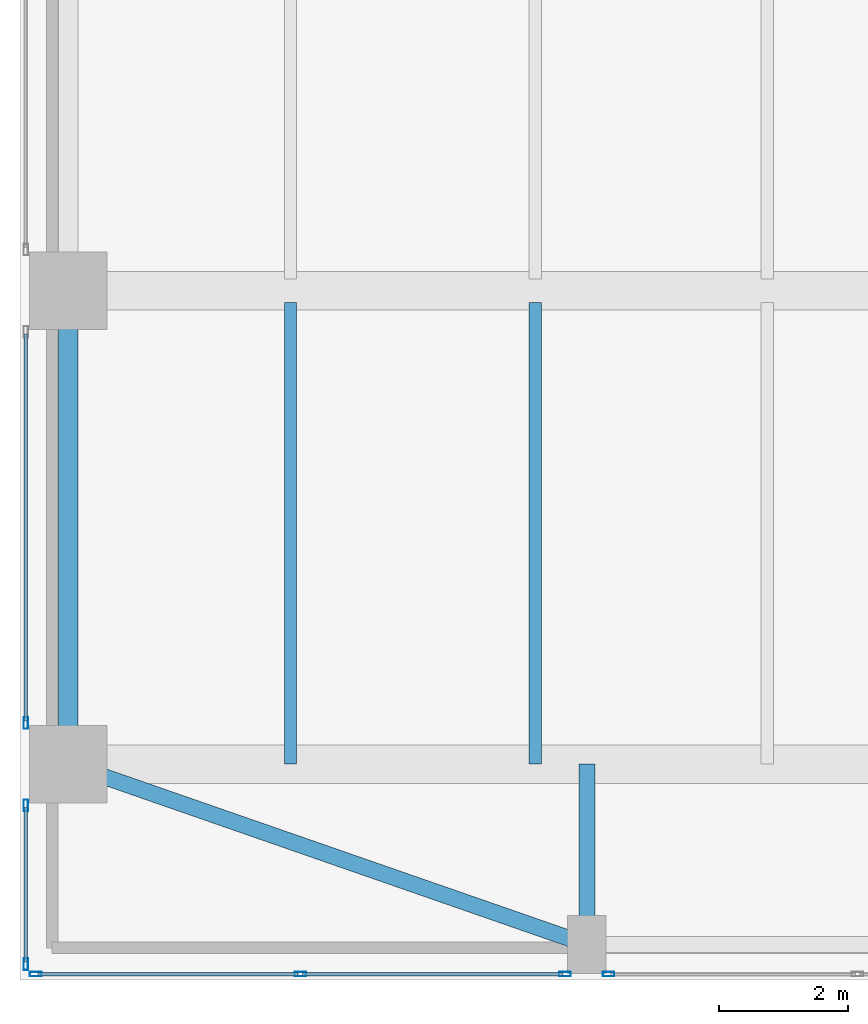
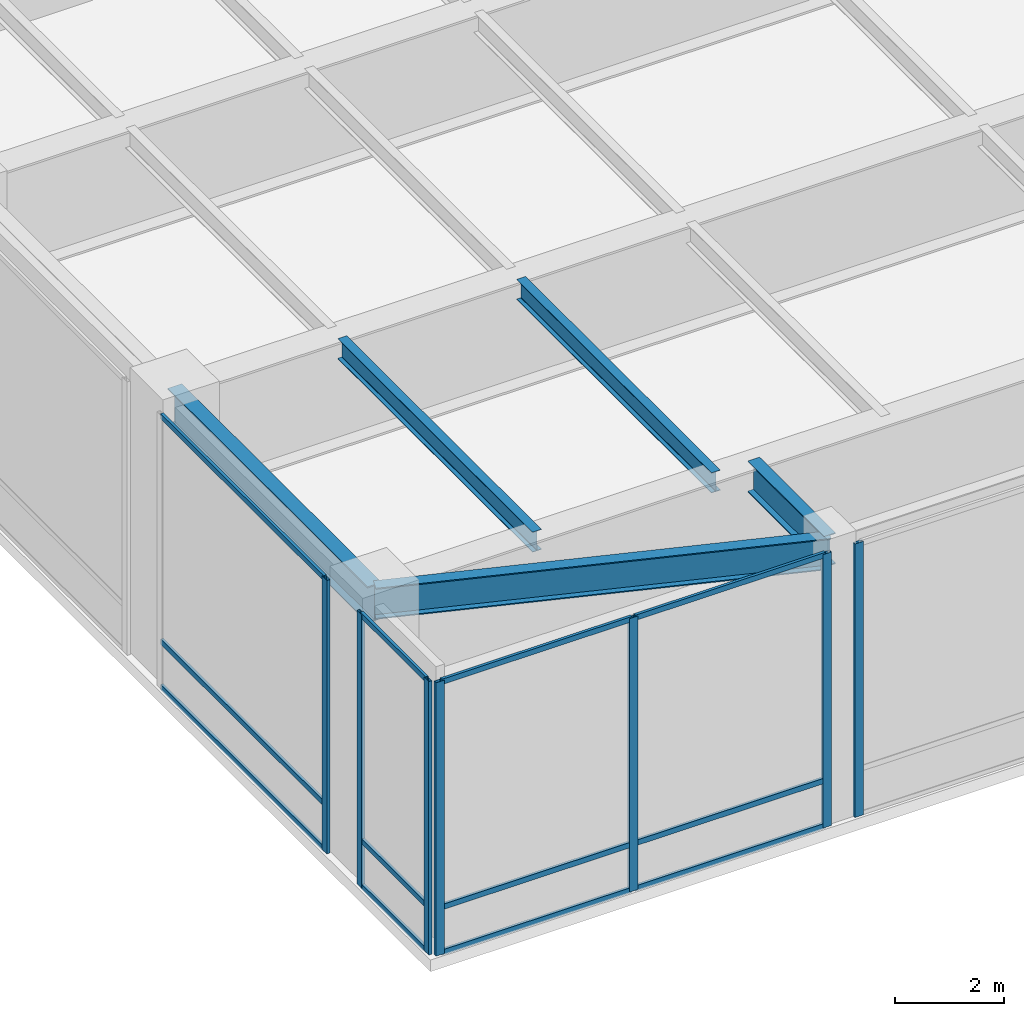
# One storey, part 2 of 50: 19 members, 5 beams, 4 elements without a shape of their own.
"""IFC4 building model written with IfcOpenShell, lengths in metres."""

from ifc_helpers import new_model, si_unit, direction, frame, origin, origin_2d, place, context, subcontext, project, spatial, hollow_rectangle, i_section, extrude, source, transform, mapped, material, layer, layer_set, material_profile, profile_set, type_object, type_shapes, element, aggregate, save


model = new_model("IFC4")

# Units and contexts
model_context = context("Model", 3, precision=1e-05, world=origin(), true_north=direction((0.0, 1.0)))
body_context = subcontext(model_context, "Body", "Model", "MODEL_VIEW")
ifc_project = project(units=[si_unit("LENGTHUNIT", "METRE"), si_unit("AREAUNIT", "SQUARE_METRE"), si_unit("VOLUMEUNIT", "CUBIC_METRE"), si_unit("PLANEANGLEUNIT", "RADIAN"), si_unit("MASSUNIT", "GRAM", prefix="KILO")], contexts=[model_context])

# Site, building, storey
site_placement = place(None, origin())
site = spatial("IfcSite", under=ifc_project, at=site_placement, CompositionType="ELEMENT")
building_placement = place(site_placement, origin())
building = spatial("IfcBuilding", under=site, at=building_placement, Name="Tolvann Quenvar Hotel", CompositionType="ELEMENT")
storey_placement = place(building_placement, frame((0.0, 0.0, 16.0)))
storey = spatial("IfcBuildingStorey", under=building, at=storey_placement, Name="L03", CompositionType="ELEMENT", Elevation=16.0)

# Beams
ifc_material_1 = material(Name="Steel Grade 350", Category="steel")
ifc_material_profile_1 = material_profile(ifc_material_1, i_section(OverallWidth=0.300048828125, OverallDepth=0.81591796875, WebThickness=0.010009765625, FlangeThickness=0.028076171875, at=origin_2d()), Name="800WB192")
ifc_profile_set_1 = profile_set([ifc_material_profile_1], Name="Steel Grade 350")
beam_type_1 = type_object("IfcBeamType", Name="BM_GIRD_800WB192", PredefinedType="BEAM", material=ifc_profile_set_1)
shared_shape_1 = source(origin(), body_context, "Body", "SweptSolid", [
    extrude(i_section(OverallWidth=0.300048828125, OverallDepth=0.81591796875, WebThickness=0.010009765625, FlangeThickness=0.028076171875, at=origin_2d()), origin(), (0.0, 0.0, 1.0), 7.349853515625),
])
type_shapes(beam_type_1, [shared_shape_1])
beam_1_placement = place(storey_placement, frame((-7.64990234375, 0.85009765625, 5.73193359375), z_axis=(0.0, 1.0, 0.0), x_axis=(-1.0, 0.0, 0.0)))
element("IfcBeam", 1, at=beam_1_placement, inside=storey, type_object=beam_type_1, Name="BM-L03-NS-A-0", PredefinedType="BEAM", context=body_context, shape_type="MappedRepresentation", body=[
    mapped(shared_shape_1, transform((0.0, 0.0, 0.0), x_axis=(1.0, 0.0, 0.0), y_axis=(0.0, 1.0, 0.0), z_axis=(0.0, 0.0, 1.0), scale=1.0)),
])
ifc_material_profile_2 = material_profile(ifc_material_1, i_section(OverallWidth=0.25, OverallDepth=0.699951171875, WebThickness=0.010009765625, FlangeThickness=0.02392578125, at=origin_2d()), Name="700WB150")
ifc_profile_set_2 = profile_set([ifc_material_profile_2], Name="Steel Grade 350")
beam_type_2 = type_object("IfcBeamType", Name="BM_GIRD_700WB150", PredefinedType="BEAM", material=ifc_profile_set_2)
shared_shape_2 = source(origin(), body_context, "Body", "SweptSolid", [
    extrude(i_section(OverallWidth=0.25, OverallDepth=0.699951171875, WebThickness=0.010009765625, FlangeThickness=0.02392578125, at=origin_2d()), origin(), (0.0, 0.0, 1.0), 8.52294921875),
])
beam_2_placement = place(storey_placement, frame((-7.64990234375, 0.85009765625, 5.7900390625), z_axis=(0.944492545724, -0.328532846261, 0.0), x_axis=(0.328532846261, 0.944492545724, 0.0)))
element("IfcBeam", 2, at=beam_2_placement, inside=storey, type_object=beam_type_2, Name="BM-L03-EWS-W0", PredefinedType="BEAM", context=body_context, shape_type="MappedRepresentation", body=[
    mapped(shared_shape_2, transform((0.0, 0.0, 0.0), x_axis=(1.0, 0.0, 0.0), y_axis=(0.0, 1.0, 0.0), z_axis=(0.0, 0.0, 1.0), scale=1.0)),
])
shared_shape_3 = source(origin(), body_context, "Body", "SweptSolid", [
    extrude(i_section(OverallWidth=0.25, OverallDepth=0.699951171875, WebThickness=0.010009765625, FlangeThickness=0.02392578125, at=origin_2d()), origin(), (0.0, 0.0, 1.0), 2.800048828125),
])
type_shapes(beam_type_2, [shared_shape_2, shared_shape_3])
beam_3_placement = place(storey_placement, frame((0.39990234375, -1.949951171875, 5.7900390625), z_axis=(0.0, 1.0, 0.0), x_axis=(-1.0, 0.0, 0.0)))
element("IfcBeam", 3, at=beam_3_placement, inside=storey, type_object=beam_type_2, Name="BM-L03-TIE-S-0", PredefinedType="BEAM", context=body_context, shape_type="MappedRepresentation", body=[
    mapped(shared_shape_3, transform((0.0, 0.0, 0.0), x_axis=(1.0, 0.0, 0.0), y_axis=(0.0, 1.0, 0.0), z_axis=(0.0, 0.0, 1.0), scale=1.0)),
])
ifc_material_profile_3 = material_profile(ifc_material_1, i_section(OverallWidth=0.18994140625, OverallDepth=0.4541015625, WebThickness=0.008544921875, FlangeThickness=0.0126953125, FilletRadius=0.011474609375, at=origin_2d()), Name="460UB67")
ifc_profile_set_3 = profile_set([ifc_material_profile_3], Name="Steel Grade 350")
beam_type_3 = type_object("IfcBeamType", Name="BM_JOIST_460UB67", PredefinedType="JOIST", material=ifc_profile_set_3)
shared_shape_4 = source(origin(), body_context, "Body", "SweptSolid", [
    extrude(i_section(OverallWidth=0.18994140625, OverallDepth=0.4541015625, WebThickness=0.008544921875, FlangeThickness=0.0126953125, FilletRadius=0.011474609375, at=origin_2d()), origin(), (0.0, 0.0, 1.0), 7.164794921875),
])
type_shapes(beam_type_3, [shared_shape_4])
for number, where, z_axis, x_axis, name in (
    (4, (-4.199951171875, 0.85009765625, 5.9130859375), (0.0, 1.0, 0.0), (-1.0, 0.0, 0.0), "BJ-L03--42-8"),
    (5, (-0.39990234375, 0.85009765625, 5.9130859375), (0.0, 1.0, 0.0), (-1.0, 0.0, 0.0), "BJ-L03--4-8"),
):
    element("IfcBeam", number, at=place(storey_placement, frame(where, z_axis=z_axis, x_axis=x_axis)), inside=storey, type_object=beam_type_3, Name=name, PredefinedType="JOIST", context=body_context, shape_type="MappedRepresentation", body=[
        mapped(shared_shape_4, transform((0.0, 0.0, 0.0), x_axis=(1.0, 0.0, 0.0), y_axis=(0.0, 1.0, 0.0), z_axis=(0.0, 0.0, 1.0), scale=1.0)),
    ])

# Curtain wall, members
ifc_material_2 = material(Name="Thermally broken anodised architectural aluminium 6063-T6 and laminated low-E glass", Category="aluminium")
ifc_layer = layer(ifc_material_2, 0.179931640625)
ifc_layer_set = layer_set([ifc_layer], Name="Thermally broken anodised architectural aluminium 6063-T6 and laminated low-E glass")
curtain_wall_type = type_object("IfcCurtainWallType", Name="CW_SYS_BALL_02", PredefinedType="USERDEFINED", material=ifc_layer_set)
curtain_wall_1_placement = place(storey_placement, origin())
curtain_wall_1 = element("IfcCurtainWall", 6, at=curtain_wall_1_placement, inside=storey, type_object=curtain_wall_type, Name="Curtain Wall CW-BALL-02 (CWR-L03-E07-S7)", ObjectType="UNITISED CURTAIN WALL", PredefinedType="USERDEFINED")
ifc_material_3 = material(Name="Anodised architectural aluminium 6063-T6 framing", Category="aluminium")
ifc_material_profile_4 = material_profile(ifc_material_3, hollow_rectangle(XDim=0.06005859375, YDim=0.1201171875, WallThickness=0.00341796875, at=origin_2d()), Name="120x60x3.5RHS")
ifc_profile_set_4 = profile_set([ifc_material_profile_4], Name="Anodised architectural aluminium 6063-T6 framing")
member_type_1 = type_object("IfcMemberType", Name="CW_TRAN_120x60", PredefinedType="USERDEFINED", material=ifc_profile_set_4)
shared_shape_5 = source(origin(), body_context, "Body", "SweptSolid", [
    extrude(hollow_rectangle(XDim=0.06005859375, YDim=0.1201171875, WallThickness=0.00341796875, at=origin_2d()), origin(), (0.0, 0.0, 1.0), 2.39599609375),
])
member_1_placement = place(storey_placement, frame((-8.31005859375, 0.176025390625, 0.030029296875), z_axis=(0.0, -1.0, 0.0), x_axis=(1.0, 0.0, 0.0)))
member_1 = element("IfcMember", 7, at=member_1_placement, type_object=member_type_1, Name="CW-BALL-02 transom 1.1", ObjectType="TRANSOM", PredefinedType="USERDEFINED", context=body_context, shape_type="MappedRepresentation", body=[
    mapped(shared_shape_5, transform((0.0, 0.0, 0.0), x_axis=(1.0, 0.0, 0.0), y_axis=(0.0, 1.0, 0.0), z_axis=(0.0, 0.0, 1.0), scale=1.0)),
])
member_2_placement = place(storey_placement, frame((-8.31005859375, 0.176025390625, 1.050048828125), z_axis=(0.0, -1.0, 0.0), x_axis=(1.0, 0.0, 0.0)))
member_2 = element("IfcMember", 8, at=member_2_placement, type_object=member_type_1, Name="CW-BALL-02 transom 1.2", ObjectType="TRANSOM", PredefinedType="USERDEFINED", context=body_context, shape_type="MappedRepresentation", body=[
    mapped(shared_shape_5, transform((0.0, 0.0, 0.0), x_axis=(1.0, 0.0, 0.0), y_axis=(0.0, 1.0, 0.0), z_axis=(0.0, 0.0, 1.0), scale=1.0)),
])
member_3_placement = place(storey_placement, frame((-8.31005859375, 0.176025390625, 6.110107421875), z_axis=(0.0, -1.0, 0.0), x_axis=(1.0, 0.0, 0.0)))
member_3 = element("IfcMember", 9, at=member_3_placement, type_object=member_type_1, Name="CW-BALL-02 transom 1.3", ObjectType="TRANSOM", PredefinedType="USERDEFINED", context=body_context, shape_type="MappedRepresentation", body=[
    mapped(shared_shape_5, transform((0.0, 0.0, 0.0), x_axis=(1.0, 0.0, 0.0), y_axis=(0.0, 1.0, 0.0), z_axis=(0.0, 0.0, 1.0), scale=1.0)),
])

curtain_wall_2_placement = place(storey_placement, origin())
curtain_wall_2 = element("IfcCurtainWall", 10, at=curtain_wall_2_placement, inside=storey, type_object=curtain_wall_type, Name="Curtain Wall CW-BALL-02 (CWR-L03-E08-S1)", ObjectType="UNITISED CURTAIN WALL", PredefinedType="USERDEFINED")
shared_shape_6 = source(origin(), body_context, "Body", "SweptSolid", [
    extrude(hollow_rectangle(XDim=0.06005859375, YDim=0.1201171875, WallThickness=0.00341796875, at=origin_2d()), origin(), (0.0, 0.0, 1.0), 4.0380859375),
])
member_4_placement = place(storey_placement, frame((-8.1201171875, -2.409912109375, 0.030029296875), z_axis=(1.0, 0.0, 0.0), x_axis=(0.0, 1.0, 0.0)))
member_4 = element("IfcMember", 11, at=member_4_placement, type_object=member_type_1, Name="CW-BALL-02 transom 1.1", ObjectType="TRANSOM", PredefinedType="USERDEFINED", context=body_context, shape_type="MappedRepresentation", body=[
    mapped(shared_shape_6, transform((0.0, 0.0, 0.0), x_axis=(1.0, 0.0, 0.0), y_axis=(0.0, 1.0, 0.0), z_axis=(0.0, 0.0, 1.0), scale=1.0)),
])
member_5_placement = place(storey_placement, frame((-8.1201171875, -2.409912109375, 1.050048828125), z_axis=(1.0, 0.0, 0.0), x_axis=(0.0, 1.0, 0.0)))
member_5 = element("IfcMember", 12, at=member_5_placement, type_object=member_type_1, Name="CW-BALL-02 transom 1.2", ObjectType="TRANSOM", PredefinedType="USERDEFINED", context=body_context, shape_type="MappedRepresentation", body=[
    mapped(shared_shape_6, transform((0.0, 0.0, 0.0), x_axis=(1.0, 0.0, 0.0), y_axis=(0.0, 1.0, 0.0), z_axis=(0.0, 0.0, 1.0), scale=1.0)),
])
member_6_placement = place(storey_placement, frame((-8.1201171875, -2.409912109375, 6.110107421875), z_axis=(1.0, 0.0, 0.0), x_axis=(0.0, 1.0, 0.0)))
member_6 = element("IfcMember", 13, at=member_6_placement, type_object=member_type_1, Name="CW-BALL-02 transom 1.3", ObjectType="TRANSOM", PredefinedType="USERDEFINED", context=body_context, shape_type="MappedRepresentation", body=[
    mapped(shared_shape_6, transform((0.0, 0.0, 0.0), x_axis=(1.0, 0.0, 0.0), y_axis=(0.0, 1.0, 0.0), z_axis=(0.0, 0.0, 1.0), scale=1.0)),
])
shared_shape_7 = source(origin(), body_context, "Body", "SweptSolid", [
    extrude(hollow_rectangle(XDim=0.06005859375, YDim=0.1201171875, WallThickness=0.00341796875, at=origin_2d()), origin(), (0.0, 0.0, 1.0), 4.037841796875),
])
member_7_placement = place(storey_placement, frame((-4.011962890625, -2.409912109375, 0.030029296875), z_axis=(1.0, 0.0, 0.0), x_axis=(0.0, 1.0, 0.0)))
member_7 = element("IfcMember", 14, at=member_7_placement, type_object=member_type_1, Name="CW-BALL-02 transom 2.1", ObjectType="TRANSOM", PredefinedType="USERDEFINED", context=body_context, shape_type="MappedRepresentation", body=[
    mapped(shared_shape_7, transform((0.0, 0.0, 0.0), x_axis=(1.0, 0.0, 0.0), y_axis=(0.0, 1.0, 0.0), z_axis=(0.0, 0.0, 1.0), scale=1.0)),
])
member_8_placement = place(storey_placement, frame((-4.011962890625, -2.409912109375, 1.050048828125), z_axis=(1.0, 0.0, 0.0), x_axis=(0.0, 1.0, 0.0)))
member_8 = element("IfcMember", 15, at=member_8_placement, type_object=member_type_1, Name="CW-BALL-02 transom 2.2", ObjectType="TRANSOM", PredefinedType="USERDEFINED", context=body_context, shape_type="MappedRepresentation", body=[
    mapped(shared_shape_7, transform((0.0, 0.0, 0.0), x_axis=(1.0, 0.0, 0.0), y_axis=(0.0, 1.0, 0.0), z_axis=(0.0, 0.0, 1.0), scale=1.0)),
])
member_9_placement = place(storey_placement, frame((-4.011962890625, -2.409912109375, 6.110107421875), z_axis=(1.0, 0.0, 0.0), x_axis=(0.0, 1.0, 0.0)))
member_9 = element("IfcMember", 16, at=member_9_placement, type_object=member_type_1, Name="CW-BALL-02 transom 2.3", ObjectType="TRANSOM", PredefinedType="USERDEFINED", context=body_context, shape_type="MappedRepresentation", body=[
    mapped(shared_shape_7, transform((0.0, 0.0, 0.0), x_axis=(1.0, 0.0, 0.0), y_axis=(0.0, 1.0, 0.0), z_axis=(0.0, 0.0, 1.0), scale=1.0)),
])

# Curtain wall, member
curtain_wall_3_placement = place(storey_placement, origin())
curtain_wall_3 = element("IfcCurtainWall", 17, at=curtain_wall_3_placement, inside=storey, type_object=curtain_wall_type, Name="Curtain Wall CW-BALL-02 (CWR-L03-E07-S6)", ObjectType="UNITISED CURTAIN WALL", PredefinedType="USERDEFINED")
ifc_material_profile_5 = material_profile(ifc_material_3, hollow_rectangle(XDim=0.070068359375, YDim=0.179931640625, WallThickness=0.00390625, at=origin_2d()), Name="180x70x4RHS")
ifc_profile_set_5 = profile_set([ifc_material_profile_5], Name="Anodised architectural aluminium 6063-T6 framing")
member_type_2 = type_object("IfcMemberType", Name="CW_MULL_180x70", PredefinedType="MULLION", material=ifc_profile_set_5)
shared_shape_8 = source(origin(), body_context, "Body", "SweptSolid", [
    extrude(hollow_rectangle(XDim=0.070068359375, YDim=0.179931640625, WallThickness=0.00390625, at=origin_2d()), origin(), (0.0, 0.0, 1.0), 6.139892578125),
])
type_shapes(member_type_2, [shared_shape_8])
member_10_placement = place(storey_placement, frame((-8.31005859375, 1.489013671875, 0.0), z_axis=(0.0, 0.0, 1.0), x_axis=(1.0, 0.0, 0.0)))
member_10 = element("IfcMember", 18, at=member_10_placement, type_object=member_type_2, Name="CW-BALL-02 mullion 2", PredefinedType="MULLION", context=body_context, shape_type="MappedRepresentation", body=[
    mapped(shared_shape_8, transform((0.0, 0.0, 0.0), x_axis=(1.0, 0.0, 0.0), y_axis=(0.0, 1.0, 0.0), z_axis=(0.0, 0.0, 1.0), scale=1.0)),
])

# Member
member_11_placement = place(storey_placement, frame((-8.31005859375, 0.2109375, 0.0), z_axis=(0.0, 0.0, 1.0), x_axis=(1.0, 0.0, 0.0)))
member_11 = element("IfcMember", 19, at=member_11_placement, type_object=member_type_2, Name="CW-BALL-02 mullion 1", PredefinedType="MULLION", context=body_context, shape_type="MappedRepresentation", body=[
    mapped(shared_shape_8, transform((0.0, 0.0, 0.0), x_axis=(1.0, 0.0, 0.0), y_axis=(0.0, 1.0, 0.0), z_axis=(0.0, 0.0, 1.0), scale=1.0)),
])

member_12_placement = place(storey_placement, frame((-8.31005859375, -2.2548828125, 0.0), z_axis=(0.0, 0.0, 1.0), x_axis=(1.0, 0.0, 0.0)))
member_12 = element("IfcMember", 20, at=member_12_placement, type_object=member_type_2, Name="CW-BALL-02 mullion 2", PredefinedType="MULLION", context=body_context, shape_type="MappedRepresentation", body=[
    mapped(shared_shape_8, transform((0.0, 0.0, 0.0), x_axis=(1.0, 0.0, 0.0), y_axis=(0.0, 1.0, 0.0), z_axis=(0.0, 0.0, 1.0), scale=1.0)),
])

aggregate(curtain_wall_1, [member_11, member_12, member_1, member_2, member_3])

member_13_placement = place(storey_placement, frame((-8.155029296875, -2.409912109375, 0.0), z_axis=(0.0, 0.0, 1.0), x_axis=(0.0, 1.0, 0.0)))
member_13 = element("IfcMember", 21, at=member_13_placement, type_object=member_type_2, Name="CW-BALL-02 mullion 1", PredefinedType="MULLION", context=body_context, shape_type="MappedRepresentation", body=[
    mapped(shared_shape_8, transform((0.0, 0.0, 0.0), x_axis=(1.0, 0.0, 0.0), y_axis=(0.0, 1.0, 0.0), z_axis=(0.0, 0.0, 1.0), scale=1.0)),
])

member_14_placement = place(storey_placement, frame((-4.047119140625, -2.409912109375, 0.0), z_axis=(0.0, 0.0, 1.0), x_axis=(0.0, 1.0, 0.0)))
member_14 = element("IfcMember", 22, at=member_14_placement, type_object=member_type_2, Name="CW-BALL-02 mullion 2", PredefinedType="MULLION", context=body_context, shape_type="MappedRepresentation", body=[
    mapped(shared_shape_8, transform((0.0, 0.0, 0.0), x_axis=(1.0, 0.0, 0.0), y_axis=(0.0, 1.0, 0.0), z_axis=(0.0, 0.0, 1.0), scale=1.0)),
])

member_15_placement = place(storey_placement, frame((0.06103515625, -2.409912109375, 0.0), z_axis=(0.0, 0.0, 1.0), x_axis=(0.0, 1.0, 0.0)))
member_15 = element("IfcMember", 23, at=member_15_placement, type_object=member_type_2, Name="CW-BALL-02 mullion 3", PredefinedType="MULLION", context=body_context, shape_type="MappedRepresentation", body=[
    mapped(shared_shape_8, transform((0.0, 0.0, 0.0), x_axis=(1.0, 0.0, 0.0), y_axis=(0.0, 1.0, 0.0), z_axis=(0.0, 0.0, 1.0), scale=1.0)),
])

aggregate(curtain_wall_2, [member_13, member_14, member_15, member_4, member_5, member_6, member_7, member_8, member_9])

# Curtain wall, member
curtain_wall_4_placement = place(storey_placement, origin())
curtain_wall_4 = element("IfcCurtainWall", 24, at=curtain_wall_4_placement, inside=storey, type_object=curtain_wall_type, Name="Curtain Wall CW-BALL-02 (CWR-L03-E08-S2)", ObjectType="UNITISED CURTAIN WALL", PredefinedType="USERDEFINED")
member_16_placement = place(storey_placement, frame((0.739013671875, -2.409912109375, 0.0), z_axis=(0.0, 0.0, 1.0), x_axis=(0.0, 1.0, 0.0)))
member_16 = element("IfcMember", 25, at=member_16_placement, type_object=member_type_2, Name="CW-BALL-02 mullion 1", PredefinedType="MULLION", context=body_context, shape_type="MappedRepresentation", body=[
    mapped(shared_shape_8, transform((0.0, 0.0, 0.0), x_axis=(1.0, 0.0, 0.0), y_axis=(0.0, 1.0, 0.0), z_axis=(0.0, 0.0, 1.0), scale=1.0)),
])
aggregate(curtain_wall_4, [member_16])

# Member
shared_shape_9 = source(origin(), body_context, "Body", "SweptSolid", [
    extrude(hollow_rectangle(XDim=0.06005859375, YDim=0.1201171875, WallThickness=0.00341796875, at=origin_2d()), origin(), (0.0, 0.0, 1.0), 6.001953125),
])
type_shapes(member_type_1, [shared_shape_5, shared_shape_6, shared_shape_7, shared_shape_9])
member_17_placement = place(storey_placement, frame((-8.31005859375, 7.52587890625, 0.030029296875), z_axis=(0.0, -1.0, 0.0), x_axis=(1.0, 0.0, 0.0)))
member_17 = element("IfcMember", 26, at=member_17_placement, type_object=member_type_1, Name="CW-BALL-02 transom 1.1", ObjectType="TRANSOM", PredefinedType="USERDEFINED", context=body_context, shape_type="MappedRepresentation", body=[
    mapped(shared_shape_9, transform((0.0, 0.0, 0.0), x_axis=(1.0, 0.0, 0.0), y_axis=(0.0, 1.0, 0.0), z_axis=(0.0, 0.0, 1.0), scale=1.0)),
])

member_18_placement = place(storey_placement, frame((-8.31005859375, 7.52587890625, 1.050048828125), z_axis=(0.0, -1.0, 0.0), x_axis=(1.0, 0.0, 0.0)))
member_18 = element("IfcMember", 27, at=member_18_placement, type_object=member_type_1, Name="CW-BALL-02 transom 1.2", ObjectType="TRANSOM", PredefinedType="USERDEFINED", context=body_context, shape_type="MappedRepresentation", body=[
    mapped(shared_shape_9, transform((0.0, 0.0, 0.0), x_axis=(1.0, 0.0, 0.0), y_axis=(0.0, 1.0, 0.0), z_axis=(0.0, 0.0, 1.0), scale=1.0)),
])

member_19_placement = place(storey_placement, frame((-8.31005859375, 7.52587890625, 6.110107421875), z_axis=(0.0, -1.0, 0.0), x_axis=(1.0, 0.0, 0.0)))
member_19 = element("IfcMember", 28, at=member_19_placement, type_object=member_type_1, Name="CW-BALL-02 transom 1.3", ObjectType="TRANSOM", PredefinedType="USERDEFINED", context=body_context, shape_type="MappedRepresentation", body=[
    mapped(shared_shape_9, transform((0.0, 0.0, 0.0), x_axis=(1.0, 0.0, 0.0), y_axis=(0.0, 1.0, 0.0), z_axis=(0.0, 0.0, 1.0), scale=1.0)),
])

aggregate(curtain_wall_3, [member_10, member_17, member_18, member_19])

save(model, "model.ifc")
